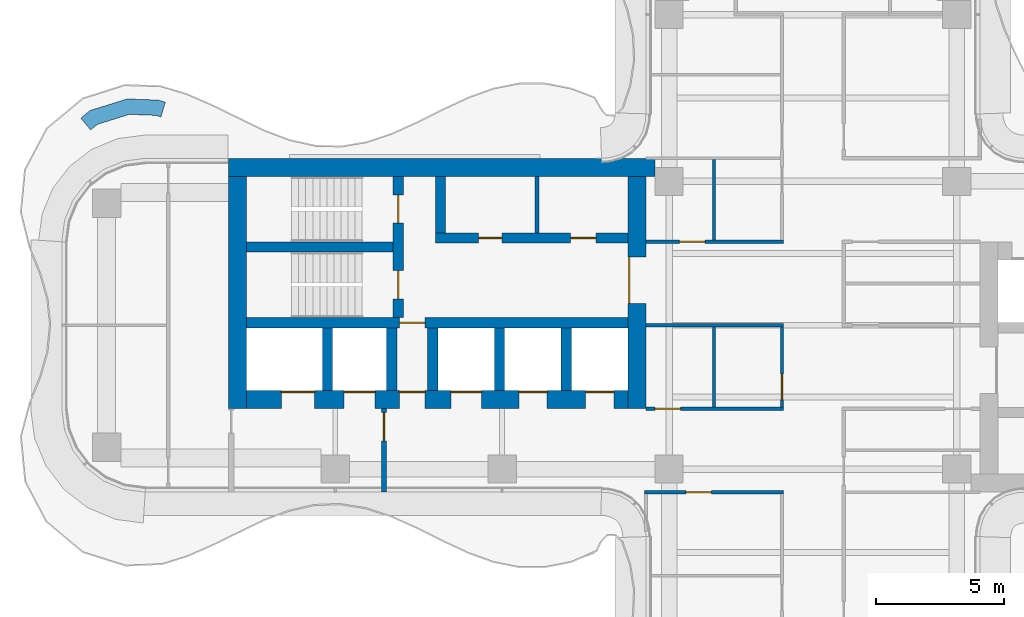
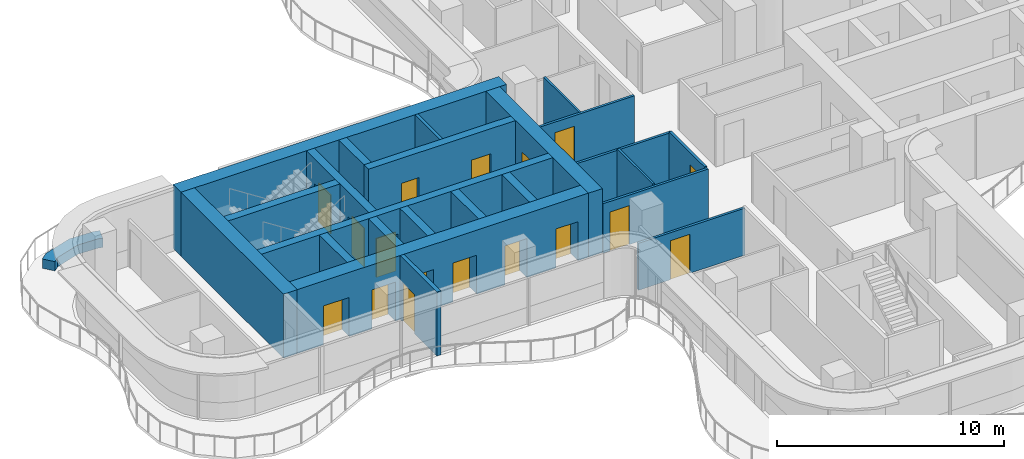
# One storey, part 11 of 16: 24 walls, 17 doors, 17 openings.
"""IFC4 building model written with IfcOpenShell, lengths in metres."""

from ifc_helpers import new_model, si_unit, direction, frame, frame_2d, origin, place, context, subcontext, project, spatial, polyline, rectangle, outline, extrude, source, transform, mapped, material, layer, layer_set, type_object, element, fill, save


model = new_model("IFC4")

# Units and contexts
model_context = context("Model", 3, precision=1e-05, world=origin(), true_north=direction((0.0, 1.0)))
body_context = subcontext(model_context, "Body", "Model", "MODEL_VIEW")
ifc_project = project(units=[si_unit("LENGTHUNIT", "METRE"), si_unit("AREAUNIT", "SQUARE_METRE"), si_unit("VOLUMEUNIT", "CUBIC_METRE"), si_unit("PLANEANGLEUNIT", "RADIAN"), si_unit("MASSUNIT", "GRAM", prefix="KILO")], contexts=[model_context])

# Site, building, storey
site_placement = place(None, origin())
site = spatial("IfcSite", under=ifc_project, at=site_placement, CompositionType="ELEMENT")
building_placement = place(site_placement, origin())
building = spatial("IfcBuilding", under=site, at=building_placement, Name="Trellis Farm Tower", CompositionType="ELEMENT")
storey_placement = place(building_placement, frame((0.0, 0.0, 267.5)))
storey = spatial("IfcBuildingStorey", under=building, at=storey_placement, Name="L60", CompositionType="ELEMENT", Elevation=267.5)

# Walls
ifc_material_1 = material(Name="Plasterboard on steel studs", Category="steel")
ifc_layer_1 = layer(ifc_material_1, 0.10009765625)
ifc_layer_set_1 = layer_set([ifc_layer_1], Name="PARTITION 100 STUD EI 30")
wall_type_1 = type_object("IfcWallType", Name="PARTITION 100 STUD EI 30", PredefinedType="PARTITIONING", material=ifc_layer_set_1)
wall_1_placement = place(storey_placement, frame((-3.85009765625, -3.1875, 0.0), z_axis=(0.0, 0.0, 1.0), x_axis=(0.0, 1.0, 0.0)))
element("IfcWall", 1, at=wall_1_placement, inside=storey, type_object=wall_type_1, Name="Partition PW2", PredefinedType="PARTITIONING", context=body_context, shape_type="SweptSolid", body=[
    extrude(rectangle(XDim=3.125, YDim=0.10009765625, at=frame_2d((1.5625, 0.0))), origin(), (0.0, 0.0, 1.0), 2.74658203125),
])
wall_2_placement = place(storey_placement, frame((-3.85009765625, 3.3125, 0.0), z_axis=(0.0, 0.0, 1.0), x_axis=(0.0, 1.0, 0.0)))
element("IfcWall", 2, at=wall_2_placement, inside=storey, type_object=wall_type_1, Name="Partition PW2", PredefinedType="PARTITIONING", context=body_context, shape_type="SweptSolid", body=[
    extrude(rectangle(XDim=3.137451171875, YDim=0.10009765625, at=frame_2d((1.56884765625, 0.0))), origin(), (0.0, 0.0, 1.0), 2.667724609375),
])
ifc_material_2 = material(Name="Sandstone faced masonry planter", Category="masonry")
ifc_layer_2 = layer(ifc_material_2, 0.60009765625)
ifc_layer_set_2 = layer_set([ifc_layer_2], Name="PLANTER BED 600")
wall_type_2 = type_object("IfcWallType", Name="PLANTER BED 600", PredefinedType="USERDEFINED", material=ifc_layer_set_2)
wall_3_placement = place(storey_placement, origin())
element("IfcWall", 3, at=wall_3_placement, inside=storey, type_object=wall_type_2, Name="PLANTER bed", ObjectType="PLANTER", PredefinedType="USERDEFINED", context=body_context, shape_type="SweptSolid", body=[
    extrude(outline(polyline([(-26.705078125, 8.81201171875), (-25.486328125, 8.769287109375), (-25.215087890625, 8.68701171875), (-25.389404296875, 8.11279296875), (-25.585693359375, 8.172607421875), (-26.6240234375, 8.208740234375), (-27.861328125, 7.822998046875), (-28.124267578125, 7.604248046875), (-28.508056640625, 8.0654296875), (-28.153564453125, 8.3603515625), (-26.705078125, 8.81201171875)])), origin(), (0.0, 0.0, 1.0), 0.5),
])

# Wall, opening, door
ifc_material_3 = material(Name="Concrete C60/75", Category="concrete")
ifc_layer_3 = layer(ifc_material_3, 0.699951171875)
ifc_layer_set_3 = layer_set([ifc_layer_3], Name="CORE OUTER WALL 700 CONCRETE C60/75")
wall_type_3 = type_object("IfcWallType", Name="CORE OUTER WALL 700 CONCRETE C60/75", PredefinedType="SHEAR", material=ifc_layer_set_3)
shared_shape_1 = source(origin(), body_context, "Body", "SweptSolid", [
    extrude(rectangle(XDim=9.050048828125, YDim=0.699951171875, at=frame_2d((4.52490234375, 0.0))), origin(), (0.0, 0.0, 1.0), 3.449951171875),
])
wall_4_placement = place(storey_placement, frame((-6.85009765625, 5.800048828125, 0.0), z_axis=(0.0, 0.0, 1.0), x_axis=(0.0, -1.0, 0.0)))
wall_4 = element("IfcWall", 4, at=wall_4_placement, inside=storey, type_object=wall_type_3, Name="Core wall", PredefinedType="SHEAR", context=body_context, shape_type="MappedRepresentation", body=[
    mapped(shared_shape_1, transform((0.0, 0.0, 0.0))),
])
shared_shape_2 = source(origin(), body_context, "Body", "SweptSolid", [
    extrude(rectangle(XDim=1.800048828125, YDim=2.10009765625, at=frame_2d((0.89990234375, 1.050048828125))), frame((0.0, 0.360107421875, 0.0), z_axis=(0.0, -1.0, 0.0), x_axis=(1.0, 0.0, 0.0)), (0.0, 0.0, 1.0), 0.72021484375),
])
opening_1_placement = place(wall_4_placement, frame((3.14990234375, 0.0, 0.0)))
opening_1 = element("IfcOpeningElement", 5, at=opening_1_placement, cuts=wall_4, Name="Opening DC87", PredefinedType="OPENING", context=body_context, shape_type="MappedRepresentation", body=[
    mapped(shared_shape_2, transform((0.0, 0.0, 0.0))),
])
ifc_material_4 = material(Name="Steel", Category="steel")
door_type_1 = type_object("IfcDoorType", Name="CORE FIRE DOOR DOUBLE 1800 X 2100", OperationType="DOUBLE_DOOR_SINGLE_SWING", PredefinedType="DOOR", material=ifc_material_4)
shared_shape_3 = source(origin(), body_context, "Body", "SweptSolid", [
    extrude(rectangle(XDim=1.800048828125, YDim=2.10009765625, at=frame_2d((0.89990234375, 1.050048828125))), frame((0.0, -0.27490234375, 0.0), z_axis=(0.0, -1.0, 0.0), x_axis=(1.0, 0.0, 0.0)), (0.0, 0.0, 1.0), 0.050048828125),
])
door_1_placement = place(opening_1_placement, origin())
door_1 = element("IfcDoor", 6, at=door_1_placement, inside=storey, type_object=door_type_1, Name="Core door", OperationType="DOUBLE_DOOR_SINGLE_SWING", OverallHeight=2.10009765625, OverallWidth=1.800048828125, PredefinedType="DOOR", context=body_context, shape_type="MappedRepresentation", body=[
    mapped(shared_shape_3, transform((0.0, 0.0, 0.0))),
])
fill(opening_1, door_1)

# Walls
wall_5_placement = place(storey_placement, frame((-22.39990234375, 5.800048828125, 0.0), z_axis=(0.0, 0.0, 1.0), x_axis=(0.0, -1.0, 0.0)))
element("IfcWall", 7, at=wall_5_placement, inside=storey, type_object=wall_type_3, Name="Core wall", PredefinedType="SHEAR", context=body_context, shape_type="MappedRepresentation", body=[
    mapped(shared_shape_1, transform((0.0, 0.0, 0.0))),
])
ifc_layer_4 = layer(ifc_material_3, 0.39990234375)
ifc_layer_set_4 = layer_set([ifc_layer_4], Name="CORE INNER WALL 400 CONCRETE C60/75")
wall_type_4 = type_object("IfcWallType", Name="CORE INNER WALL 400 CONCRETE C60/75", PredefinedType="SHEAR", material=ifc_layer_set_4)
shared_shape_4 = source(origin(), body_context, "Body", "SweptSolid", [
    extrude(rectangle(XDim=2.449951171875, YDim=0.39990234375, at=frame_2d((1.22509765625, 0.0))), origin(), (0.0, 0.0, 1.0), 3.449951171875),
])
for number, where, z_axis, x_axis, name in (
    (8, (-9.60009765625, -0.10009765625, 0.0), (0.0, 0.0, 1.0), (0.0, -1.0, 0.0), "Core wall"),
    (9, (-12.199951171875, -0.10009765625, 0.0), (0.0, 0.0, 1.0), (0.0, -1.0, 0.0), "Core wall"),
    (10, (-14.800048828125, -0.10009765625, 0.0), (0.0, 0.0, 1.0), (0.0, -1.0, 0.0), "Core wall"),
    (11, (-16.39990234375, -0.10009765625, 0.0), (0.0, 0.0, 1.0), (0.0, -1.0, 0.0), "Core wall"),
    (12, (-18.89990234375, -0.10009765625, 0.0), (0.0, 0.0, 1.0), (0.0, -1.0, 0.0), "Core wall"),
):
    element("IfcWall", number, at=place(storey_placement, frame(where, z_axis=z_axis, x_axis=x_axis)), inside=storey, type_object=wall_type_4, Name=name, PredefinedType="SHEAR", context=body_context, shape_type="MappedRepresentation", body=[
        mapped(shared_shape_4, transform((0.0, 0.0, 0.0))),
    ])

# Wall, opening, door
ifc_material_5 = material(Name="Masonry blockwork", Category="masonry")
ifc_layer_5 = layer(ifc_material_5, 0.199951171875)
ifc_layer_set_5 = layer_set([ifc_layer_5], Name="FIRE LOBBY PARTITION 200 BLOCKWORK")
wall_type_5 = type_object("IfcWallType", Name="FIRE LOBBY PARTITION 200 BLOCKWORK", PredefinedType="PARTITIONING", material=ifc_layer_set_5)
shared_shape_5 = source(origin(), body_context, "Body", "SweptSolid", [
    extrude(rectangle(XDim=3.25, YDim=0.199951171875, at=frame_2d((1.625, 0.0))), origin(), (0.0, 0.0, 1.0), 3.449951171875),
])
wall_6_placement = place(storey_placement, frame((-16.699951171875, -3.25, 0.0), z_axis=(0.0, 0.0, 1.0), x_axis=(0.0, -1.0, 0.0)))
wall_6 = element("IfcWall", 13, at=wall_6_placement, inside=storey, type_object=wall_type_5, Name="Fire-fighting lobby partition", PredefinedType="PARTITIONING", context=body_context, shape_type="MappedRepresentation", body=[
    mapped(shared_shape_5, transform((0.0, 0.0, 0.0))),
])
shared_shape_6 = source(origin(), body_context, "Body", "SweptSolid", [
    extrude(rectangle(XDim=1.10009765625, YDim=2.10009765625, at=frame_2d((0.550048828125, 1.050048828125))), frame((0.0, 0.110107421875, 0.0), z_axis=(0.0, -1.0, 0.0), x_axis=(1.0, 0.0, 0.0)), (0.0, 0.0, 1.0), 0.22021484375),
])
opening_2_placement = place(wall_6_placement, frame((0.14990234375, 0.0, 0.0)))
opening_2 = element("IfcOpeningElement", 14, at=opening_2_placement, cuts=wall_6, Name="Opening DC93", PredefinedType="OPENING", context=body_context, shape_type="MappedRepresentation", body=[
    mapped(shared_shape_6, transform((0.0, 0.0, 0.0))),
])
door_type_2 = type_object("IfcDoorType", Name="CORE FIRE DOOR 1100 X 2100", OperationType="NOTDEFINED", PredefinedType="DOOR", material=ifc_material_4)
shared_shape_7 = source(origin(), body_context, "Body", "SweptSolid", [
    extrude(rectangle(XDim=1.10009765625, YDim=2.10009765625, at=frame_2d((0.550048828125, 1.050048828125))), frame((0.0, 0.02490234375, 0.0), z_axis=(0.0, -1.0, 0.0), x_axis=(1.0, 0.0, 0.0)), (0.0, 0.0, 1.0), 0.050048828125),
])
door_2_placement = place(opening_2_placement, origin())
door_2 = element("IfcDoor", 15, at=door_2_placement, inside=storey, type_object=door_type_2, Name="Core door", OperationType="SINGLE_SWING_RIGHT", OverallHeight=2.10009765625, OverallWidth=1.10009765625, PredefinedType="DOOR", context=body_context, shape_type="MappedRepresentation", body=[
    mapped(shared_shape_7, transform((0.0, 0.0, 0.0))),
])
fill(opening_2, door_2)

# Wall, openings, doors
shared_shape_8 = source(origin(), body_context, "Body", "SweptSolid", [
    extrude(rectangle(XDim=14.85009765625, YDim=0.699951171875, at=frame_2d((7.425048828125, 0.0))), origin(), (0.0, 0.0, 1.0), 3.449951171875),
])
wall_7_placement = place(storey_placement, frame((-7.199951171875, -2.89990234375, 0.0), z_axis=(0.0, 0.0, 1.0), x_axis=(-1.0, 0.0, 0.0)))
wall_7 = element("IfcWall", 16, at=wall_7_placement, inside=storey, type_object=wall_type_3, Name="Core wall", PredefinedType="SHEAR", context=body_context, shape_type="MappedRepresentation", body=[
    mapped(shared_shape_8, transform((0.0, 0.0, 0.0))),
])
shared_shape_9 = source(origin(), body_context, "Body", "SweptSolid", [
    extrude(rectangle(XDim=1.10009765625, YDim=2.10009765625, at=frame_2d((0.550048828125, 1.050048828125))), frame((0.0, 0.360107421875, 0.0), z_axis=(0.0, -1.0, 0.0), x_axis=(1.0, 0.0, 0.0)), (0.0, 0.0, 1.0), 0.72021484375),
])
opening_3_placement = place(wall_7_placement, frame((0.550048828125, 0.0, 0.0)))
opening_3 = element("IfcOpeningElement", 17, at=opening_3_placement, cuts=wall_7, Name="Opening LD12", PredefinedType="OPENING", context=body_context, shape_type="MappedRepresentation", body=[
    mapped(shared_shape_9, transform((0.0, 0.0, 0.0))),
])
opening_4_placement = place(wall_7_placement, frame((3.14990234375, 0.0, 0.0)))
opening_4 = element("IfcOpeningElement", 18, at=opening_4_placement, cuts=wall_7, Name="Opening LD13", PredefinedType="OPENING", context=body_context, shape_type="MappedRepresentation", body=[
    mapped(shared_shape_9, transform((0.0, 0.0, 0.0))),
])
shared_shape_10 = source(origin(), body_context, "Body", "SweptSolid", [
    extrude(rectangle(XDim=1.199951171875, YDim=2.10009765625, at=frame_2d((0.60009765625, 1.050048828125))), frame((0.0, 0.360107421875, 0.0), z_axis=(0.0, -1.0, 0.0), x_axis=(1.0, 0.0, 0.0)), (0.0, 0.0, 1.0), 0.72021484375),
])
opening_5_placement = place(wall_7_placement, frame((5.699951171875, 0.0, 0.0)))
opening_5 = element("IfcOpeningElement", 19, at=opening_5_placement, cuts=wall_7, Name="Opening LD14", PredefinedType="OPENING", context=body_context, shape_type="MappedRepresentation", body=[
    mapped(shared_shape_10, transform((0.0, 0.0, 0.0))),
])
shared_shape_11 = source(origin(), body_context, "Body", "SweptSolid", [
    extrude(rectangle(XDim=1.300048828125, YDim=2.10009765625, at=frame_2d((0.64990234375, 1.050048828125))), frame((0.0, 0.360107421875, 0.0), z_axis=(0.0, -1.0, 0.0), x_axis=(1.0, 0.0, 0.0)), (0.0, 0.0, 1.0), 0.72021484375),
])
opening_6_placement = place(wall_7_placement, frame((12.199951171875, 0.0, 0.0)))
opening_6 = element("IfcOpeningElement", 20, at=opening_6_placement, cuts=wall_7, Name="Opening LD15", PredefinedType="OPENING", context=body_context, shape_type="MappedRepresentation", body=[
    mapped(shared_shape_11, transform((0.0, 0.0, 0.0))),
])
opening_7_placement = place(wall_7_placement, frame((9.85009765625, 0.0, 0.0)))
opening_7 = element("IfcOpeningElement", 21, at=opening_7_placement, cuts=wall_7, Name="Opening LD16", PredefinedType="OPENING", context=body_context, shape_type="MappedRepresentation", body=[
    mapped(shared_shape_10, transform((0.0, 0.0, 0.0))),
])
shared_shape_12 = source(origin(), body_context, "Body", "SweptSolid", [
    extrude(rectangle(XDim=1.0, YDim=2.10009765625, at=frame_2d((0.5, 1.050048828125))), frame((0.0, 0.360107421875, 0.0), z_axis=(0.0, -1.0, 0.0), x_axis=(1.0, 0.0, 0.0)), (0.0, 0.0, 1.0), 0.72021484375),
])
opening_8_placement = place(wall_7_placement, frame((7.89990234375, 0.0, 0.0)))
opening_8 = element("IfcOpeningElement", 22, at=opening_8_placement, cuts=wall_7, Name="Opening DC92", PredefinedType="OPENING", context=body_context, shape_type="MappedRepresentation", body=[
    mapped(shared_shape_12, transform((0.0, 0.0, 0.0))),
])
door_type_3 = type_object("IfcDoorType", Name="CORE FIRE DOOR 1000 X 2100", OperationType="NOTDEFINED", PredefinedType="DOOR", material=ifc_material_4)
shared_shape_13 = source(origin(), body_context, "Body", "SweptSolid", [
    extrude(rectangle(XDim=1.0, YDim=2.10009765625, at=frame_2d((0.5, 1.050048828125))), frame((0.0, -0.27490234375, 0.0), z_axis=(0.0, -1.0, 0.0), x_axis=(1.0, 0.0, 0.0)), (0.0, 0.0, 1.0), 0.050048828125),
])
door_3_placement = place(opening_8_placement, origin())
door_3 = element("IfcDoor", 23, at=door_3_placement, inside=storey, type_object=door_type_3, Name="Core door", OperationType="SINGLE_SWING_LEFT", OverallHeight=2.10009765625, OverallWidth=1.0, PredefinedType="DOOR", context=body_context, shape_type="MappedRepresentation", body=[
    mapped(shared_shape_13, transform((0.0, 0.0, 0.0))),
])
fill(opening_8, door_3)
ifc_material_6 = material(Name="Stainless steel", Category="steel")
door_type_4 = type_object("IfcDoorType", Name="LIFT LANDING DOOR 1300 X 2100", OperationType="DOUBLE_DOOR_SLIDING", PredefinedType="DOOR", material=ifc_material_6)
shared_shape_14 = source(origin(), body_context, "Body", "SweptSolid", [
    extrude(rectangle(XDim=1.300048828125, YDim=2.10009765625, at=frame_2d((0.64990234375, 1.050048828125))), frame((0.0, -0.27490234375, 0.0), z_axis=(0.0, -1.0, 0.0), x_axis=(1.0, 0.0, 0.0)), (0.0, 0.0, 1.0), 0.050048828125),
])
door_4_placement = place(opening_6_placement, origin())
door_4 = element("IfcDoor", 24, at=door_4_placement, inside=storey, type_object=door_type_4, Name="Lift landing door", OperationType="DOUBLE_DOOR_SLIDING", OverallHeight=2.10009765625, OverallWidth=1.300048828125, PredefinedType="DOOR", context=body_context, shape_type="MappedRepresentation", body=[
    mapped(shared_shape_14, transform((0.0, 0.0, 0.0))),
])
fill(opening_6, door_4)
door_type_5 = type_object("IfcDoorType", Name="LIFT LANDING DOOR 1200 X 2100", OperationType="DOUBLE_DOOR_SLIDING", PredefinedType="DOOR", material=ifc_material_6)
shared_shape_15 = source(origin(), body_context, "Body", "SweptSolid", [
    extrude(rectangle(XDim=1.199951171875, YDim=2.10009765625, at=frame_2d((0.60009765625, 1.050048828125))), frame((0.0, -0.27490234375, 0.0), z_axis=(0.0, -1.0, 0.0), x_axis=(1.0, 0.0, 0.0)), (0.0, 0.0, 1.0), 0.050048828125),
])
door_5_placement = place(opening_5_placement, origin())
door_5 = element("IfcDoor", 25, at=door_5_placement, inside=storey, type_object=door_type_5, Name="Lift landing door", OperationType="DOUBLE_DOOR_SLIDING", OverallHeight=2.10009765625, OverallWidth=1.199951171875, PredefinedType="DOOR", context=body_context, shape_type="MappedRepresentation", body=[
    mapped(shared_shape_15, transform((0.0, 0.0, 0.0))),
])
fill(opening_5, door_5)
door_6_placement = place(opening_7_placement, origin())
door_6 = element("IfcDoor", 26, at=door_6_placement, inside=storey, type_object=door_type_5, Name="Lift landing door", OperationType="DOUBLE_DOOR_SLIDING", OverallHeight=2.10009765625, OverallWidth=1.199951171875, PredefinedType="DOOR", context=body_context, shape_type="MappedRepresentation", body=[
    mapped(shared_shape_15, transform((0.0, 0.0, 0.0))),
])
fill(opening_7, door_6)
door_type_6 = type_object("IfcDoorType", Name="LIFT LANDING DOOR 1100 X 2100", OperationType="DOUBLE_DOOR_SLIDING", PredefinedType="DOOR", material=ifc_material_6)
shared_shape_16 = source(origin(), body_context, "Body", "SweptSolid", [
    extrude(rectangle(XDim=1.10009765625, YDim=2.10009765625, at=frame_2d((0.550048828125, 1.050048828125))), frame((0.0, -0.27490234375, 0.0), z_axis=(0.0, -1.0, 0.0), x_axis=(1.0, 0.0, 0.0)), (0.0, 0.0, 1.0), 0.050048828125),
])
door_7_placement = place(opening_3_placement, origin())
door_7 = element("IfcDoor", 27, at=door_7_placement, inside=storey, type_object=door_type_6, Name="Lift landing door", OperationType="DOUBLE_DOOR_SLIDING", OverallHeight=2.10009765625, OverallWidth=1.10009765625, PredefinedType="DOOR", context=body_context, shape_type="MappedRepresentation", body=[
    mapped(shared_shape_16, transform((0.0, 0.0, 0.0))),
])
fill(opening_3, door_7)
door_8_placement = place(opening_4_placement, origin())
door_8 = element("IfcDoor", 28, at=door_8_placement, inside=storey, type_object=door_type_6, Name="Lift landing door", OperationType="DOUBLE_DOOR_SLIDING", OverallHeight=2.10009765625, OverallWidth=1.10009765625, PredefinedType="DOOR", context=body_context, shape_type="MappedRepresentation", body=[
    mapped(shared_shape_16, transform((0.0, 0.0, 0.0))),
])
fill(opening_4, door_8)

shared_shape_17 = source(origin(), body_context, "Body", "SweptSolid", [
    extrude(rectangle(XDim=7.5, YDim=0.39990234375, at=frame_2d((3.75, 0.0))), origin(), (0.0, 0.0, 1.0), 3.449951171875),
])
wall_8_placement = place(storey_placement, frame((-7.199951171875, 3.39990234375, 0.0), z_axis=(0.0, 0.0, 1.0), x_axis=(-1.0, 0.0, 0.0)))
wall_8 = element("IfcWall", 29, at=wall_8_placement, inside=storey, type_object=wall_type_4, Name="Core wall", PredefinedType="SHEAR", context=body_context, shape_type="MappedRepresentation", body=[
    mapped(shared_shape_17, transform((0.0, 0.0, 0.0))),
])
shared_shape_18 = source(origin(), body_context, "Body", "SweptSolid", [
    extrude(rectangle(XDim=1.0, YDim=2.10009765625, at=frame_2d((0.5, 1.050048828125))), frame((0.0, 0.2099609375, 0.0), z_axis=(0.0, -1.0, 0.0), x_axis=(1.0, 0.0, 0.0)), (0.0, 0.0, 1.0), 0.419921875),
])
opening_9_placement = place(wall_8_placement, frame((1.237548828125, 0.0, 0.0)))
opening_9 = element("IfcOpeningElement", 30, at=opening_9_placement, cuts=wall_8, Name="Opening DC141", PredefinedType="OPENING", context=body_context, shape_type="MappedRepresentation", body=[
    mapped(shared_shape_18, transform((0.0, 0.0, 0.0))),
])
shared_shape_19 = source(origin(), body_context, "Body", "SweptSolid", [
    extrude(rectangle(XDim=0.89990234375, YDim=2.10009765625, at=frame_2d((0.449951171875, 1.050048828125))), frame((0.0, 0.2099609375, 0.0), z_axis=(0.0, -1.0, 0.0), x_axis=(1.0, 0.0, 0.0)), (0.0, 0.0, 1.0), 0.419921875),
])
opening_10_placement = place(wall_8_placement, frame((4.91259765625, 0.0, 0.0)))
opening_10 = element("IfcOpeningElement", 31, at=opening_10_placement, cuts=wall_8, Name="Opening DC146", PredefinedType="OPENING", context=body_context, shape_type="MappedRepresentation", body=[
    mapped(shared_shape_19, transform((0.0, 0.0, 0.0))),
])
shared_shape_20 = source(origin(), body_context, "Body", "SweptSolid", [
    extrude(rectangle(XDim=1.0, YDim=2.10009765625, at=frame_2d((0.5, 1.050048828125))), frame((0.0, 0.02490234375, 0.0), z_axis=(0.0, -1.0, 0.0), x_axis=(1.0, 0.0, 0.0)), (0.0, 0.0, 1.0), 0.050048828125),
])
door_9_placement = place(opening_9_placement, origin())
door_9 = element("IfcDoor", 32, at=door_9_placement, inside=storey, type_object=door_type_3, Name="Core door", OperationType="SINGLE_SWING_LEFT", OverallHeight=2.10009765625, OverallWidth=1.0, PredefinedType="DOOR", context=body_context, shape_type="MappedRepresentation", body=[
    mapped(shared_shape_20, transform((0.0, 0.0, 0.0))),
])
fill(opening_9, door_9)
door_type_7 = type_object("IfcDoorType", Name="CORE FIRE DOOR 900 X 2100", OperationType="NOTDEFINED", PredefinedType="DOOR", material=ifc_material_4)
shared_shape_21 = source(origin(), body_context, "Body", "SweptSolid", [
    extrude(rectangle(XDim=0.89990234375, YDim=2.10009765625, at=frame_2d((0.449951171875, 1.050048828125))), frame((0.0, 0.02490234375, 0.0), z_axis=(0.0, -1.0, 0.0), x_axis=(1.0, 0.0, 0.0)), (0.0, 0.0, 1.0), 0.050048828125),
])
door_10_placement = place(opening_10_placement, origin())
door_10 = element("IfcDoor", 33, at=door_10_placement, inside=storey, type_object=door_type_7, Name="Core door", OperationType="SINGLE_SWING_RIGHT", OverallHeight=2.10009765625, OverallWidth=0.89990234375, PredefinedType="DOOR", context=body_context, shape_type="MappedRepresentation", body=[
    mapped(shared_shape_21, transform((0.0, 0.0, 0.0))),
])
fill(opening_10, door_10)

# Wall, opening, door
shared_shape_22 = source(origin(), body_context, "Body", "SweptSolid", [
    extrude(rectangle(XDim=14.85009765625, YDim=0.39990234375, at=frame_2d((7.425048828125, 0.0))), origin(), (0.0, 0.0, 1.0), 3.449951171875),
])
wall_9_placement = place(storey_placement, frame((-7.199951171875, 0.10009765625, 0.0), z_axis=(0.0, 0.0, 1.0), x_axis=(-1.0, 0.0, 0.0)))
wall_9 = element("IfcWall", 34, at=wall_9_placement, inside=storey, type_object=wall_type_4, Name="Core wall", PredefinedType="SHEAR", context=body_context, shape_type="MappedRepresentation", body=[
    mapped(shared_shape_22, transform((0.0, 0.0, 0.0))),
])
opening_11_placement = place(wall_9_placement, frame((7.89990234375, 0.0, 0.0)))
opening_11 = element("IfcOpeningElement", 35, at=opening_11_placement, cuts=wall_9, Name="Opening DC91", PredefinedType="OPENING", context=body_context, shape_type="MappedRepresentation", body=[
    mapped(shared_shape_18, transform((0.0, 0.0, 0.0))),
])
door_11_placement = place(opening_11_placement, origin())
door_11 = element("IfcDoor", 36, at=door_11_placement, inside=storey, type_object=door_type_3, Name="Core door", OperationType="SINGLE_SWING_RIGHT", OverallHeight=2.10009765625, OverallWidth=1.0, PredefinedType="DOOR", context=body_context, shape_type="MappedRepresentation", body=[
    mapped(shared_shape_20, transform((0.0, 0.0, 0.0))),
])
fill(opening_11, door_11)

# Wall, openings, doors
shared_shape_23 = source(origin(), body_context, "Body", "SweptSolid", [
    extrude(rectangle(XDim=5.5, YDim=0.39990234375, at=frame_2d((2.75, 0.0))), origin(), (0.0, 0.0, 1.0), 3.449951171875),
])
wall_10_placement = place(storey_placement, frame((-16.14990234375, 5.800048828125, 0.0), z_axis=(0.0, 0.0, 1.0), x_axis=(0.0, -1.0, 0.0)))
wall_10 = element("IfcWall", 37, at=wall_10_placement, inside=storey, type_object=wall_type_4, Name="Core wall", PredefinedType="SHEAR", context=body_context, shape_type="MappedRepresentation", body=[
    mapped(shared_shape_23, transform((0.0, 0.0, 0.0))),
])
shared_shape_24 = source(origin(), body_context, "Body", "SweptSolid", [
    extrude(rectangle(XDim=1.10009765625, YDim=2.10009765625, at=frame_2d((0.550048828125, 1.050048828125))), frame((0.0, 0.2099609375, 0.0), z_axis=(0.0, -1.0, 0.0), x_axis=(1.0, 0.0, 0.0)), (0.0, 0.0, 1.0), 0.419921875),
])
opening_12_placement = place(wall_10_placement, frame((0.72509765625, 0.0, 0.0)))
opening_12 = element("IfcOpeningElement", 38, at=opening_12_placement, cuts=wall_10, Name="Opening DC88", PredefinedType="OPENING", context=body_context, shape_type="MappedRepresentation", body=[
    mapped(shared_shape_24, transform((0.0, 0.0, 0.0))),
])
opening_13_placement = place(wall_10_placement, frame((3.675048828125, 0.0, 0.0)))
opening_13 = element("IfcOpeningElement", 39, at=opening_13_placement, cuts=wall_10, Name="Opening DC89", PredefinedType="OPENING", context=body_context, shape_type="MappedRepresentation", body=[
    mapped(shared_shape_24, transform((0.0, 0.0, 0.0))),
])
door_12_placement = place(opening_12_placement, origin())
door_12 = element("IfcDoor", 40, at=door_12_placement, inside=storey, type_object=door_type_2, Name="Core door", OperationType="SINGLE_SWING_RIGHT", OverallHeight=2.10009765625, OverallWidth=1.10009765625, PredefinedType="DOOR", context=body_context, shape_type="MappedRepresentation", body=[
    mapped(shared_shape_7, transform((0.0, 0.0, 0.0))),
])
fill(opening_12, door_12)
door_13_placement = place(opening_13_placement, origin())
door_13 = element("IfcDoor", 41, at=door_13_placement, inside=storey, type_object=door_type_2, Name="Core door", OperationType="SINGLE_SWING_LEFT", OverallHeight=2.10009765625, OverallWidth=1.10009765625, PredefinedType="DOOR", context=body_context, shape_type="MappedRepresentation", body=[
    mapped(shared_shape_7, transform((0.0, 0.0, 0.0))),
])
fill(opening_13, door_13)

# Walls
shared_shape_25 = source(origin(), body_context, "Body", "SweptSolid", [
    extrude(rectangle(XDim=5.699951171875, YDim=0.39990234375, at=frame_2d((2.85009765625, 0.0))), origin(), (0.0, 0.0, 1.0), 3.449951171875),
])
wall_11_placement = place(storey_placement, frame((-16.35009765625, 3.050048828125, 0.0), z_axis=(0.0, 0.0, 1.0), x_axis=(-1.0, 0.0, 0.0)))
element("IfcWall", 42, at=wall_11_placement, inside=storey, type_object=wall_type_4, Name="Core wall", PredefinedType="SHEAR", context=body_context, shape_type="MappedRepresentation", body=[
    mapped(shared_shape_25, transform((0.0, 0.0, 0.0))),
])
shared_shape_26 = source(origin(), body_context, "Body", "SweptSolid", [
    extrude(rectangle(XDim=2.199951171875, YDim=0.39990234375, at=frame_2d((1.10009765625, 0.0))), origin(), (0.0, 0.0, 1.0), 3.449951171875),
])
wall_12_placement = place(storey_placement, frame((-14.5, 5.800048828125, 0.0), z_axis=(0.0, 0.0, 1.0), x_axis=(0.0, -1.0, 0.0)))
element("IfcWall", 43, at=wall_12_placement, inside=storey, type_object=wall_type_4, Name="Core wall", PredefinedType="SHEAR", context=body_context, shape_type="MappedRepresentation", body=[
    mapped(shared_shape_26, transform((0.0, 0.0, 0.0))),
])
ifc_layer_6 = layer(ifc_material_5, 0.14990234375)
ifc_layer_set_6 = layer_set([ifc_layer_6], Name="CORE PARTITION 150 BLOCKWORK")
wall_type_6 = type_object("IfcWallType", Name="CORE PARTITION 150 BLOCKWORK", PredefinedType="PARTITIONING", material=ifc_layer_set_6)
shared_shape_27 = source(origin(), body_context, "Body", "SweptSolid", [
    extrude(rectangle(XDim=2.199951171875, YDim=0.14990234375, at=frame_2d((1.10009765625, 0.0))), origin(), (0.0, 0.0, 1.0), 3.449951171875),
])
wall_13_placement = place(storey_placement, frame((-10.75, 5.800048828125, 0.0), z_axis=(0.0, 0.0, 1.0), x_axis=(0.0, -1.0, 0.0)))
element("IfcWall", 44, at=wall_13_placement, inside=storey, type_object=wall_type_6, Name="Core room partition", PredefinedType="PARTITIONING", context=body_context, shape_type="MappedRepresentation", body=[
    mapped(shared_shape_27, transform((0.0, 0.0, 0.0))),
])
shared_shape_28 = source(origin(), body_context, "Body", "SweptSolid", [
    extrude(rectangle(XDim=16.60009765625, YDim=0.699951171875, at=frame_2d((8.300048828125, 0.0))), origin(), (0.0, 0.0, 1.0), 3.449951171875),
])
wall_14_placement = place(storey_placement, frame((-6.14990234375, 6.14990234375, 0.0), z_axis=(0.0, 0.0, 1.0), x_axis=(-1.0, 0.0, 0.0)))
element("IfcWall", 45, at=wall_14_placement, inside=storey, type_object=wall_type_3, Name="Core wall", PredefinedType="SHEAR", context=body_context, shape_type="MappedRepresentation", body=[
    mapped(shared_shape_28, transform((0.0, 0.0, 0.0))),
])

# Wall, opening, door
ifc_material_7 = material(Name="Plasterboard on steel studs, mineral wool", Category="steel")
ifc_layer_7 = layer(ifc_material_7, 0.125)
ifc_layer_set_7 = layer_set([ifc_layer_7], Name="PARTITION 125 STUD EI 60")
wall_type_7 = type_object("IfcWallType", Name="PARTITION 125 STUD EI 60", PredefinedType="PARTITIONING", material=ifc_layer_set_7)
shared_shape_29 = source(origin(), body_context, "Body", "SweptSolid", [
    extrude(rectangle(XDim=5.362548828125, YDim=0.125, at=frame_2d((2.68115234375, 0.0))), origin(), (0.0, 0.0, 1.0), 2.667724609375),
])
wall_15_placement = place(storey_placement, frame((-1.137451171875, -3.25, 0.0), z_axis=(0.0, 0.0, 1.0), x_axis=(-1.0, 0.0, 0.0)))
wall_15 = element("IfcWall", 46, at=wall_15_placement, inside=storey, type_object=wall_type_7, Name="Partition PW1", PredefinedType="PARTITIONING", context=body_context, shape_type="MappedRepresentation", body=[
    mapped(shared_shape_29, transform((0.0, 0.0, 0.0))),
])
shared_shape_30 = source(origin(), body_context, "Body", "SweptSolid", [
    extrude(rectangle(XDim=1.0, YDim=2.10009765625, at=frame_2d((0.5, 1.050048828125))), frame((0.0, 0.072509765625, 0.0), z_axis=(0.0, -1.0, 0.0), x_axis=(1.0, 0.0, 0.0)), (0.0, 0.0, 1.0), 0.14501953125),
])
opening_14_placement = place(wall_15_placement, frame((4.012451171875, 0.0, 0.0)))
opening_14 = element("IfcOpeningElement", 47, at=opening_14_placement, cuts=wall_15, Name="Opening D106", PredefinedType="OPENING", context=body_context, shape_type="MappedRepresentation", body=[
    mapped(shared_shape_30, transform((0.0, 0.0, 0.0))),
])
ifc_material_8 = material(Name="Fire-rated timber door leaf in a hollow metal frame", Category="wood")
door_type_8 = type_object("IfcDoorType", Name="DOOR 1000x2100 FD30S", OperationType="NOTDEFINED", PredefinedType="DOOR", material=ifc_material_8)
door_14_placement = place(opening_14_placement, origin())
door_14 = element("IfcDoor", 48, at=door_14_placement, inside=storey, type_object=door_type_8, Name="Door D106", OperationType="SINGLE_SWING_RIGHT", OverallHeight=2.10009765625, OverallWidth=1.0, PredefinedType="DOOR", context=body_context, shape_type="MappedRepresentation", body=[
    mapped(shared_shape_20, transform((0.0, 0.0, 0.0))),
])
fill(opening_14, door_14)

# Wall
wall_16_placement = place(storey_placement, frame((-1.137451171875, 0.0, 0.0), z_axis=(0.0, 0.0, 1.0), x_axis=(-1.0, 0.0, 0.0)))
element("IfcWall", 49, at=wall_16_placement, inside=storey, type_object=wall_type_7, Name="Partition PW1", PredefinedType="PARTITIONING", context=body_context, shape_type="MappedRepresentation", body=[
    mapped(shared_shape_29, transform((0.0, 0.0, 0.0))),
])

# Wall, opening, door
wall_17_placement = place(storey_placement, frame((-6.5, 3.25, 0.0), z_axis=(0.0, 0.0, 1.0), x_axis=(1.0, 0.0, 0.0)))
wall_17 = element("IfcWall", 50, at=wall_17_placement, inside=storey, type_object=wall_type_7, Name="Partition PW1", PredefinedType="PARTITIONING", context=body_context, shape_type="MappedRepresentation", body=[
    mapped(shared_shape_29, transform((0.0, 0.0, 0.0))),
])
opening_15_placement = place(wall_17_placement, frame((1.300048828125, 0.0, 0.0)))
opening_15 = element("IfcOpeningElement", 51, at=opening_15_placement, cuts=wall_17, Name="Opening D111", PredefinedType="OPENING", context=body_context, shape_type="MappedRepresentation", body=[
    mapped(shared_shape_30, transform((0.0, 0.0, 0.0))),
])
door_15_placement = place(opening_15_placement, origin())
door_15 = element("IfcDoor", 52, at=door_15_placement, inside=storey, type_object=door_type_8, Name="Door D111", OperationType="SINGLE_SWING_RIGHT", OverallHeight=2.10009765625, OverallWidth=1.0, PredefinedType="DOOR", context=body_context, shape_type="MappedRepresentation", body=[
    mapped(shared_shape_20, transform((0.0, 0.0, 0.0))),
])
fill(opening_15, door_15)

shared_shape_31 = source(origin(), body_context, "Body", "SweptSolid", [
    extrude(rectangle(XDim=3.125, YDim=0.125, at=frame_2d((1.5625, 0.0))), origin(), (0.0, 0.0, 1.0), 2.74658203125),
])
wall_18_placement = place(storey_placement, frame((-1.199951171875, -0.0625, 0.0), z_axis=(0.0, 0.0, 1.0), x_axis=(0.0, -1.0, 0.0)))
wall_18 = element("IfcWall", 53, at=wall_18_placement, inside=storey, type_object=wall_type_7, Name="Partition PW1", PredefinedType="PARTITIONING", context=body_context, shape_type="MappedRepresentation", body=[
    mapped(shared_shape_31, transform((0.0, 0.0, 0.0))),
])
opening_16_placement = place(wall_18_placement, frame((1.83740234375, 0.0, 0.0)))
opening_16 = element("IfcOpeningElement", 54, at=opening_16_placement, cuts=wall_18, Name="Opening D108", PredefinedType="OPENING", context=body_context, shape_type="MappedRepresentation", body=[
    mapped(shared_shape_30, transform((0.0, 0.0, 0.0))),
])
door_16_placement = place(opening_16_placement, origin())
door_16 = element("IfcDoor", 55, at=door_16_placement, inside=storey, type_object=door_type_8, Name="Door D108", OperationType="SINGLE_SWING_RIGHT", OverallHeight=2.10009765625, OverallWidth=1.0, PredefinedType="DOOR", context=body_context, shape_type="MappedRepresentation", body=[
    mapped(shared_shape_20, transform((0.0, 0.0, 0.0))),
])
fill(opening_16, door_16)

shared_shape_32 = source(origin(), body_context, "Body", "SweptSolid", [
    extrude(rectangle(XDim=5.425048828125, YDim=0.125, at=frame_2d((2.71240234375, 0.0))), origin(), (0.0, 0.0, 1.0), 2.530029296875),
])
wall_19_placement = place(storey_placement, frame((-1.137451171875, -6.5, 0.0), z_axis=(0.0, 0.0, 1.0), x_axis=(-1.0, 0.0, 0.0)))
wall_19 = element("IfcWall", 56, at=wall_19_placement, inside=storey, type_object=wall_type_7, Name="Partition PW1", PredefinedType="PARTITIONING", context=body_context, shape_type="MappedRepresentation", body=[
    mapped(shared_shape_32, transform((0.0, 0.0, 0.0))),
])
opening_17_placement = place(wall_19_placement, frame((2.8125, 0.0, 0.0)))
opening_17 = element("IfcOpeningElement", 57, at=opening_17_placement, cuts=wall_19, Name="Opening D104", PredefinedType="OPENING", context=body_context, shape_type="MappedRepresentation", body=[
    mapped(shared_shape_30, transform((0.0, 0.0, 0.0))),
])
door_17_placement = place(opening_17_placement, origin())
door_17 = element("IfcDoor", 58, at=door_17_placement, inside=storey, type_object=door_type_8, Name="Door D104", OperationType="SINGLE_SWING_RIGHT", OverallHeight=2.10009765625, OverallWidth=1.0, PredefinedType="DOOR", context=body_context, shape_type="MappedRepresentation", body=[
    mapped(shared_shape_20, transform((0.0, 0.0, 0.0))),
])
fill(opening_17, door_17)

save(model, "model.ifc")
